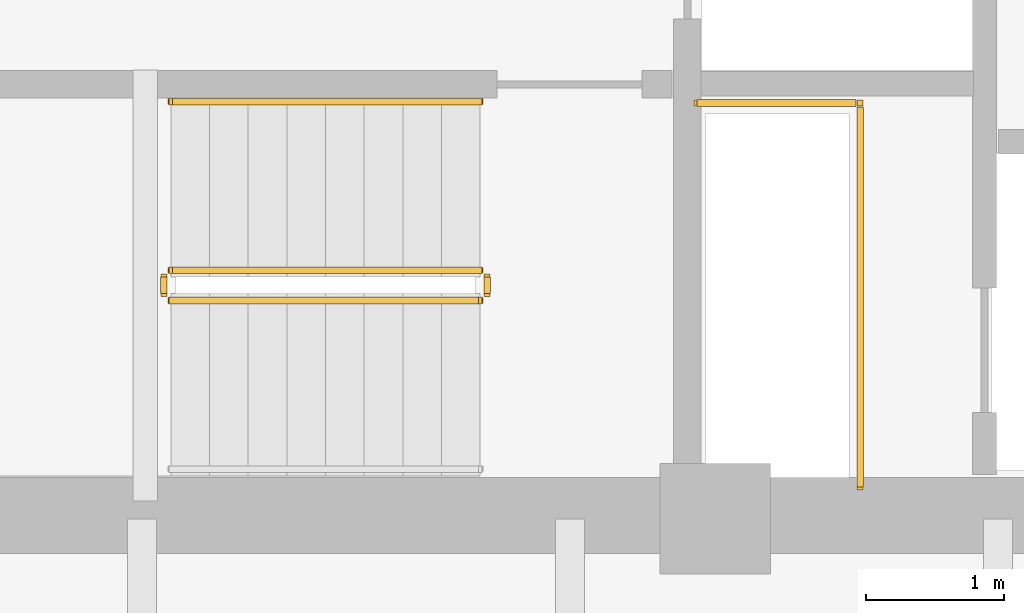
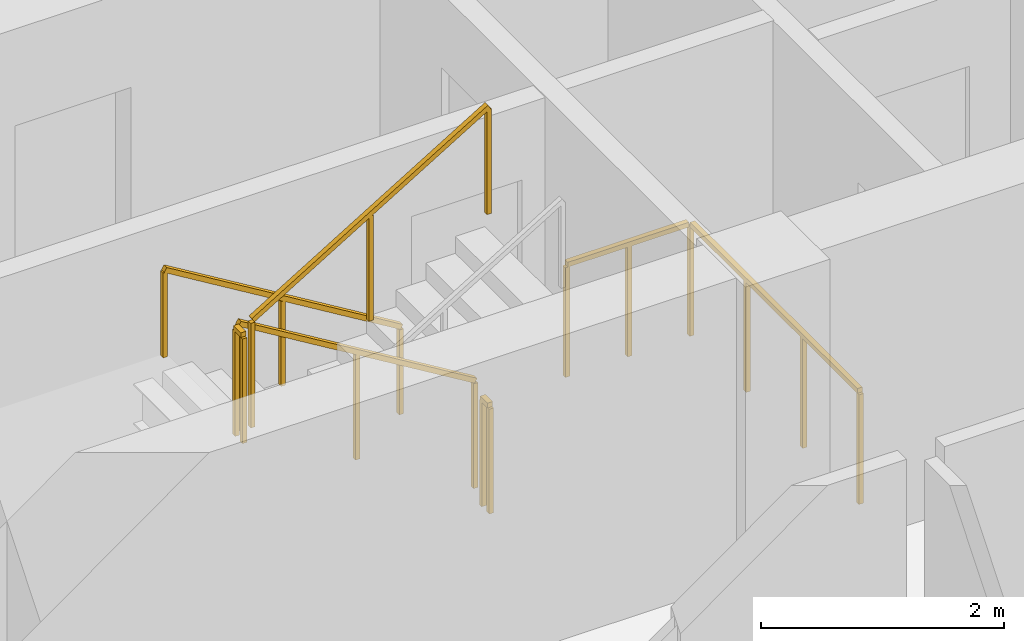
# One storey, part 10 of 14: 6 railings.
"""IFC4 building model written with IfcOpenShell, lengths in metres."""

from ifc_helpers import new_model, si_unit, direction, frame, origin, origin_2d, place, context, subcontext, project, spatial, rectangle, extrude, material, type_object, element, save


model = new_model("IFC4")

# Units and contexts
model_context = context("Model", 3, precision=1e-05, world=origin(), true_north=direction((0.0, 1.0)))
body_context = subcontext(model_context, "Body", "Model", "MODEL_VIEW")
ifc_project = project(units=[si_unit("LENGTHUNIT", "METRE"), si_unit("AREAUNIT", "SQUARE_METRE"), si_unit("VOLUMEUNIT", "CUBIC_METRE"), si_unit("PLANEANGLEUNIT", "RADIAN"), si_unit("MASSUNIT", "GRAM", prefix="KILO")], contexts=[model_context])

# Site, building, storey
site_placement = place(None, origin())
site = spatial("IfcSite", under=ifc_project, at=site_placement, CompositionType="ELEMENT")
building_placement = place(site_placement, origin())
building = spatial("IfcBuilding", under=site, at=building_placement, Name="Qhalaya Broadcast Tower", CompositionType="ELEMENT")
storey_placement = place(building_placement, frame((0.0, 0.0, 38.300048828125)))
storey = spatial("IfcBuildingStorey", under=building, at=storey_placement, Name="L10", CompositionType="ELEMENT", Elevation=38.300048828125)

# Railings
ifc_material = material(Name="Powder-Coated Galvanised Steel", Category="steel")
railing_type_1 = type_object("IfcRailingType", Name="Stair Wall Handrail 900", PredefinedType="HANDRAIL", material=ifc_material)
railing_1_placement = place(storey_placement, frame((-3.75, -5.72998046875, 0.16943359375)))
element("IfcRailing", 1, at=railing_1_placement, inside=storey, type_object=railing_type_1, Name="L10 ST-2 Stair Handrail 1", PredefinedType="HANDRAIL", context=body_context, shape_type="SweptSolid", body=[
    extrude(rectangle(XDim=0.048095703125, YDim=0.048095703125, at=origin_2d()), frame((0.0, 0.0, 0.8759765625), z_axis=(-0.855553338991, 0.0, 0.51771467445), x_axis=(0.0, -1.0, 0.0)), (0.0, 0.0, 1.0), 2.6181640625),
    extrude(rectangle(XDim=0.0419921875, YDim=0.0419921875, at=origin_2d()), origin(), (0.0, 0.0, 1.0), 0.849853515625),
    extrude(rectangle(XDim=0.0419921875, YDim=0.0419921875, at=origin_2d()), frame((-1.1201171875, 0.0, 0.677734375)), (0.0, 0.0, 1.0), 0.849853515625),
    extrude(rectangle(XDim=0.0419921875, YDim=0.0419921875, at=origin_2d()), frame((-2.239990234375, 0.0, 1.35546875)), (0.0, 0.0, 1.0), 0.849853515625),
])
railing_type_2 = type_object("IfcRailingType", Name="Stair Well & Landing Guardrail 1100", PredefinedType="GUARDRAIL", material=ifc_material)
railing_2_placement = place(storey_placement, frame((-1.0, -8.52001953125, 0.0)))
element("IfcRailing", 2, at=railing_2_placement, inside=storey, type_object=railing_type_2, Name="L10 Service Riser Opening Safety Guard SRSR", PredefinedType="GUARDRAIL", context=body_context, shape_type="SweptSolid", body=[
    extrude(rectangle(XDim=0.048095703125, YDim=0.048095703125, at=origin_2d()), frame((0.0, 0.0, 1.1259765625), z_axis=(0.0, 1.0, 0.0), x_axis=(-1.0, 0.0, 0.0)), (0.0, 0.0, 1.0), 2.751220703125),
    extrude(rectangle(XDim=0.048095703125, YDim=0.048095703125, at=origin_2d()), frame((-0.02880859375, 2.780029296875, 1.1259765625), z_axis=(-1.0, 0.0, 0.0), x_axis=(0.0, -1.0, 0.0)), (0.0, 0.0, 1.0), 1.151123046875),
    extrude(rectangle(XDim=0.0419921875, YDim=0.0419921875, at=origin_2d()), origin(), (0.0, 0.0, 1.0), 1.099853515625),
    extrude(rectangle(XDim=0.0419921875, YDim=0.0419921875, at=origin_2d()), frame((0.0, 0.9267578125, 0.0)), (0.0, 0.0, 1.0), 1.099853515625),
    extrude(rectangle(XDim=0.0419921875, YDim=0.0419921875, at=origin_2d()), frame((0.0, 1.853271484375, 0.0)), (0.0, 0.0, 1.0), 1.099853515625),
    extrude(rectangle(XDim=0.0419921875, YDim=0.0419921875, at=origin_2d()), frame((0.0, 2.780029296875, 0.0)), (0.0, 0.0, 1.0), 1.099853515625),
    extrude(rectangle(XDim=0.0419921875, YDim=0.0419921875, at=origin_2d()), frame((-0.58984375, 2.780029296875, 0.0)), (0.0, 0.0, 1.0), 1.099853515625),
    extrude(rectangle(XDim=0.0419921875, YDim=0.0419921875, at=origin_2d()), frame((-1.179931640625, 2.780029296875, 0.0)), (0.0, 0.0, 1.0), 1.099853515625),
])
railing_3_placement = place(storey_placement, frame((-3.75, -6.949951171875, 0.16943359375)))
element("IfcRailing", 3, at=railing_3_placement, inside=storey, type_object=railing_type_2, Name="L10 ST-2 Stair Guard 1", PredefinedType="GUARDRAIL", context=body_context, shape_type="SweptSolid", body=[
    extrude(rectangle(XDim=0.048095703125, YDim=0.048095703125, at=origin_2d()), frame((0.0, 0.0, 1.076171875), z_axis=(-0.855553338991, 0.0, 0.51771467445), x_axis=(0.0, -1.0, 0.0)), (0.0, 0.0, 1.0), 2.6181640625),
    extrude(rectangle(XDim=0.0419921875, YDim=0.0419921875, at=origin_2d()), origin(), (0.0, 0.0, 1.0), 1.050048828125),
    extrude(rectangle(XDim=0.0419921875, YDim=0.0419921875, at=origin_2d()), frame((-1.1201171875, 0.0, 0.677734375)), (0.0, 0.0, 1.0), 1.050048828125),
    extrude(rectangle(XDim=0.0419921875, YDim=0.0419921875, at=origin_2d()), frame((-2.239990234375, 0.0, 1.35546875)), (0.0, 0.0, 1.0), 1.050048828125),
])
railing_4_placement = place(storey_placement, frame((-6.0400390625, -7.0, 1.52490234375)))
element("IfcRailing", 4, at=railing_4_placement, inside=storey, type_object=railing_type_2, Name="L10 ST-2 Stair Guard 2", PredefinedType="GUARDRAIL", context=body_context, shape_type="SweptSolid", body=[
    extrude(rectangle(XDim=0.048095703125, YDim=0.048095703125, at=origin_2d()), frame((0.0, 0.0, 1.076171875), z_axis=(0.0, -1.0, 0.0), x_axis=(1.0, 0.0, 0.0)), (0.0, 0.0, 1.0), 0.1201171875),
    extrude(rectangle(XDim=0.0419921875, YDim=0.0419921875, at=origin_2d()), origin(), (0.0, 0.0, 1.0), 1.050048828125),
    extrude(rectangle(XDim=0.0419921875, YDim=0.0419921875, at=origin_2d()), frame((0.0, -0.1201171875, 0.0)), (0.0, 0.0, 1.0), 1.050048828125),
])
railing_5_placement = place(storey_placement, frame((-5.989990234375, -7.169921875, 1.6943359375)))
element("IfcRailing", 5, at=railing_5_placement, inside=storey, type_object=railing_type_2, Name="L10 ST-2 Stair Guard 3", PredefinedType="GUARDRAIL", context=body_context, shape_type="SweptSolid", body=[
    extrude(rectangle(XDim=0.048095703125, YDim=0.048095703125, at=origin_2d()), frame((0.0, 0.0, 1.076171875), z_axis=(0.855512035549, 0.0, 0.517782924622), x_axis=(0.0, 1.0, 0.0)), (0.0, 0.0, 1.0), 2.618408203125),
    extrude(rectangle(XDim=0.0419921875, YDim=0.0419921875, at=origin_2d()), origin(), (0.0, 0.0, 1.0), 1.050048828125),
    extrude(rectangle(XDim=0.0419921875, YDim=0.0419921875, at=origin_2d()), frame((1.1201171875, 0.0, 0.677734375)), (0.0, 0.0, 1.0), 1.050048828125),
    extrude(rectangle(XDim=0.0419921875, YDim=0.0419921875, at=origin_2d()), frame((2.239990234375, 0.0, 1.355712890625)), (0.0, 0.0, 1.0), 1.050048828125),
])
railing_6_placement = place(storey_placement, frame((-3.699951171875, -7.0, 0.0)))
element("IfcRailing", 6, at=railing_6_placement, inside=storey, type_object=railing_type_2, Name="L10 ST-2 Stair Guard 4", PredefinedType="GUARDRAIL", context=body_context, shape_type="SweptSolid", body=[
    extrude(rectangle(XDim=0.048095703125, YDim=0.048095703125, at=origin_2d()), frame((0.0, 0.0, 1.076171875), z_axis=(0.0, -1.0, 0.0), x_axis=(1.0, 0.0, 0.0)), (0.0, 0.0, 1.0), 0.1201171875),
    extrude(rectangle(XDim=0.0419921875, YDim=0.0419921875, at=origin_2d()), origin(), (0.0, 0.0, 1.0), 1.050048828125),
    extrude(rectangle(XDim=0.0419921875, YDim=0.0419921875, at=origin_2d()), frame((0.0, -0.1201171875, 0.0)), (0.0, 0.0, 1.0), 1.050048828125),
])

save(model, "model.ifc")
